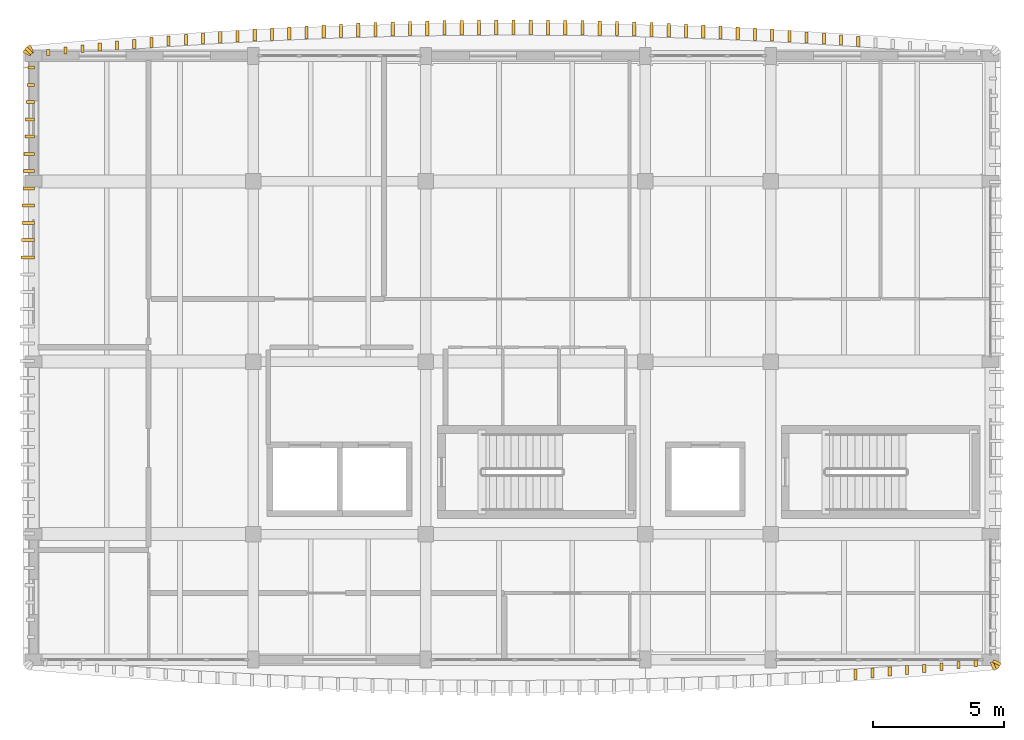
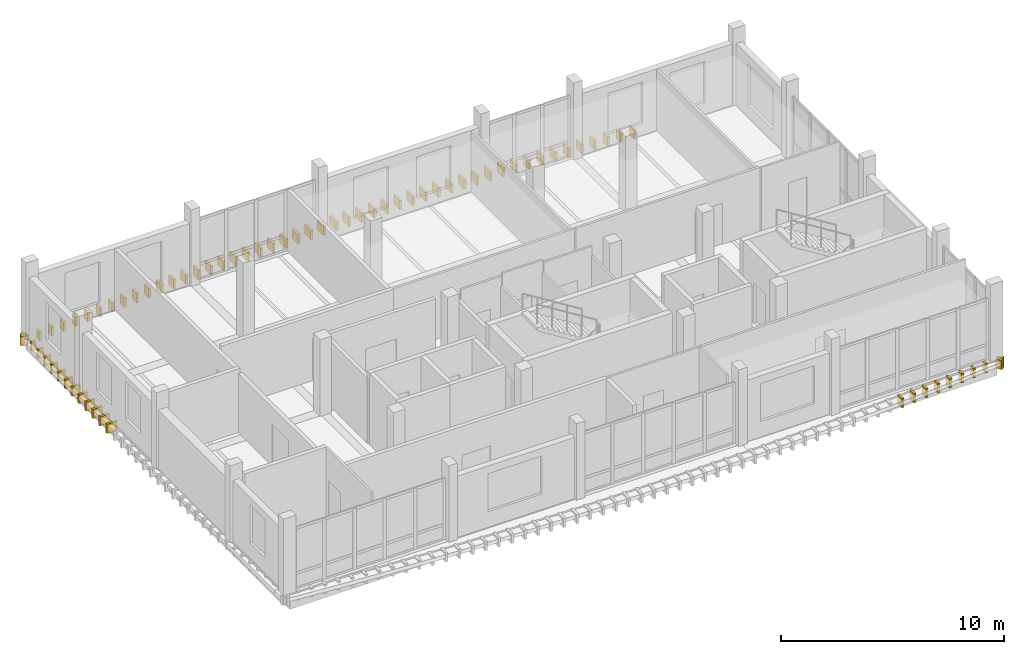
# One storey, part 15 of 16: 74 coverings.
"""IFC4 building model written with IfcOpenShell, lengths in metres."""

from ifc_helpers import new_model, si_unit, direction, frame, origin, origin_2d, place, context, subcontext, project, spatial, rectangle, extrude, material, layer, layer_set, type_object, element, save


model = new_model("IFC4")

# Units and contexts
model_context = context("Model", 3, precision=1e-05, world=origin(), true_north=direction((0.0, 1.0)))
body_context = subcontext(model_context, "Body", "Model", "MODEL_VIEW")
ifc_project = project(units=[si_unit("LENGTHUNIT", "METRE"), si_unit("AREAUNIT", "SQUARE_METRE"), si_unit("VOLUMEUNIT", "CUBIC_METRE"), si_unit("PLANEANGLEUNIT", "RADIAN"), si_unit("MASSUNIT", "GRAM", prefix="KILO")], contexts=[model_context])

# Site, building, storey
site_placement = place(None, origin())
site = spatial("IfcSite", under=ifc_project, at=site_placement, CompositionType="ELEMENT")
building_placement = place(site_placement, origin())
building = spatial("IfcBuilding", under=site, at=building_placement, Name="Dornvale Research Institute", CompositionType="ELEMENT")
storey_placement = place(building_placement, frame((0.0, 0.0, 42.60009765625)))
storey = spatial("IfcBuildingStorey", under=building, at=storey_placement, Name="L09", CompositionType="ELEMENT", Elevation=42.60009765625)

# Coverings
ifc_material = material(Name="Polychrome Glazed Terracotta Visor Rib Ceramic", Category="masonry")
ifc_layer = layer(ifc_material, 0.1201171875)
ifc_layer_set = layer_set([ifc_layer], Name="Polychrome Glazed Terracotta Visor Rib Ceramic")
covering_type = type_object("IfcCoveringType", Name="Covering_VisorBlade_Main", PredefinedType="CLADDING", material=ifc_layer_set)
covering_1_placement = place(storey_placement, frame((36.23388671875, 98.43603515625, -0.489990234375), z_axis=(0.0, 0.0, 1.0), x_axis=(0.0, 1.0, 0.0)))
element("IfcCovering", 1, at=covering_1_placement, inside=storey, type_object=covering_type, Name="L09 V5 canted glazed terracotta visor blade #1582", PredefinedType="CLADDING", context=body_context, shape_type="SweptSolid", body=[
    extrude(rectangle(XDim=0.385009765625, YDim=0.1201171875, at=origin_2d()), origin(), (0.0, 0.0, 1.0), 0.5),
])
covering_2_placement = place(storey_placement, frame((36.892333984375, 98.49072265625, -0.489990234375), z_axis=(0.0, 0.0, 1.0), x_axis=(0.0, 1.0, 0.0)))
element("IfcCovering", 2, at=covering_2_placement, inside=storey, type_object=covering_type, Name="L09 V5 canted glazed terracotta visor blade #1583", PredefinedType="CLADDING", context=body_context, shape_type="SweptSolid", body=[
    extrude(rectangle(XDim=0.366943359375, YDim=0.1201171875, at=origin_2d()), origin(), (0.0, 0.0, 1.0), 0.5),
])
covering_3_placement = place(storey_placement, frame((37.55078125, 98.547607421875, -0.489990234375), z_axis=(0.0, 0.0, 1.0), x_axis=(0.0, 1.0, 0.0)))
element("IfcCovering", 3, at=covering_3_placement, inside=storey, type_object=covering_type, Name="L09 V5 canted glazed terracotta visor blade #1584", PredefinedType="CLADDING", context=body_context, shape_type="SweptSolid", body=[
    extrude(rectangle(XDim=0.347900390625, YDim=0.1201171875, at=origin_2d()), origin(), (0.0, 0.0, 1.0), 0.5),
])
covering_4_placement = place(storey_placement, frame((38.208984375, 98.60595703125, -0.489990234375), z_axis=(0.0, 0.0, 1.0), x_axis=(0.0, 1.0, 0.0)))
element("IfcCovering", 4, at=covering_4_placement, inside=storey, type_object=covering_type, Name="L09 V5 canted glazed terracotta visor blade #1585", PredefinedType="CLADDING", context=body_context, shape_type="SweptSolid", body=[
    extrude(rectangle(XDim=0.327880859375, YDim=0.1201171875, at=origin_2d()), origin(), (0.0, 0.0, 1.0), 0.5),
])
covering_5_placement = place(storey_placement, frame((38.866943359375, 98.668701171875, -0.489990234375), z_axis=(0.0, 0.0, 1.0), x_axis=(0.0, 1.0, 0.0)))
element("IfcCovering", 5, at=covering_5_placement, inside=storey, type_object=covering_type, Name="L09 V5 canted glazed terracotta visor blade #1586", PredefinedType="CLADDING", context=body_context, shape_type="SweptSolid", body=[
    extrude(rectangle(XDim=0.30810546875, YDim=0.1201171875, at=origin_2d()), origin(), (0.0, 0.0, 1.0), 0.5),
])
covering_6_placement = place(storey_placement, frame((39.524658203125, 98.732421875, -0.489990234375), z_axis=(0.0, 0.0, 1.0), x_axis=(0.0, 1.0, 0.0)))
element("IfcCovering", 6, at=covering_6_placement, inside=storey, type_object=covering_type, Name="L09 V5 canted glazed terracotta visor blade #1587", PredefinedType="CLADDING", context=body_context, shape_type="SweptSolid", body=[
    extrude(rectangle(XDim=0.285888671875, YDim=0.1201171875, at=origin_2d()), origin(), (0.0, 0.0, 1.0), 0.5),
])
covering_7_placement = place(storey_placement, frame((40.182373046875, 98.800048828125, -0.489990234375), z_axis=(0.0, 0.0, 1.0), x_axis=(0.0, 1.0, 0.0)))
element("IfcCovering", 7, at=covering_7_placement, inside=storey, type_object=covering_type, Name="L09 V5 canted glazed terracotta visor blade #1588", PredefinedType="CLADDING", context=body_context, shape_type="SweptSolid", body=[
    extrude(rectangle(XDim=0.263916015625, YDim=0.1201171875, at=origin_2d()), origin(), (0.0, 0.0, 1.0), 0.5),
])
covering_8_placement = place(storey_placement, frame((40.839599609375, 98.869873046875, -0.489990234375), z_axis=(0.0, 0.0, 1.0), x_axis=(0.0, 1.0, 0.0)))
element("IfcCovering", 8, at=covering_8_placement, inside=storey, type_object=covering_type, Name="L09 V5 canted glazed terracotta visor blade #1589", PredefinedType="CLADDING", context=body_context, shape_type="SweptSolid", body=[
    extrude(rectangle(XDim=0.240966796875, YDim=0.1201171875, at=origin_2d()), origin(), (0.0, 0.0, 1.0), 0.5),
])
covering_9_placement = place(storey_placement, frame((36.34619140625, 122.655517578125, -0.489990234375), z_axis=(0.0, 0.0, 1.0), x_axis=(0.0, 1.0, 0.0)))
element("IfcCovering", 9, at=covering_9_placement, inside=storey, type_object=covering_type, Name="L09 V5 canted glazed terracotta visor blade #1597", PredefinedType="CLADDING", context=body_context, shape_type="SweptSolid", body=[
    extrude(rectangle(XDim=0.382080078125, YDim=0.1201171875, at=origin_2d()), origin(), (0.0, 0.0, 1.0), 0.5),
])
covering_10_placement = place(storey_placement, frame((35.6875, 122.70556640625, -0.489990234375), z_axis=(0.0, 0.0, 1.0), x_axis=(0.0, 1.0, 0.0)))
element("IfcCovering", 10, at=covering_10_placement, inside=storey, type_object=covering_type, Name="L09 V5 canted glazed terracotta visor blade #1598", PredefinedType="CLADDING", context=body_context, shape_type="SweptSolid", body=[
    extrude(rectangle(XDim=0.39892578125, YDim=0.1201171875, at=origin_2d()), origin(), (0.0, 0.0, 1.0), 0.5),
])
covering_11_placement = place(storey_placement, frame((35.02880859375, 122.755859375, -0.489990234375), z_axis=(0.0, 0.0, 1.0), x_axis=(0.0, 1.0, 0.0)))
element("IfcCovering", 11, at=covering_11_placement, inside=storey, type_object=covering_type, Name="L09 V5 canted glazed terracotta visor blade #1599", PredefinedType="CLADDING", context=body_context, shape_type="SweptSolid", body=[
    extrude(rectangle(XDim=0.416015625, YDim=0.1201171875, at=origin_2d()), origin(), (0.0, 0.0, 1.0), 0.5),
])
covering_12_placement = place(storey_placement, frame((34.3701171875, 122.802001953125, -0.489990234375), z_axis=(0.0, 0.0, 1.0), x_axis=(0.0, 1.0, 0.0)))
element("IfcCovering", 12, at=covering_12_placement, inside=storey, type_object=covering_type, Name="L09 V5 canted glazed terracotta visor blade #1600", PredefinedType="CLADDING", context=body_context, shape_type="SweptSolid", body=[
    extrude(rectangle(XDim=0.430908203125, YDim=0.1201171875, at=origin_2d()), origin(), (0.0, 0.0, 1.0), 0.5),
])
covering_13_placement = place(storey_placement, frame((33.7109375, 122.845703125, -0.489990234375), z_axis=(0.0, 0.0, 1.0), x_axis=(0.0, 1.0, 0.0)))
element("IfcCovering", 13, at=covering_13_placement, inside=storey, type_object=covering_type, Name="L09 V5 canted glazed terracotta visor blade #1601", PredefinedType="CLADDING", context=body_context, shape_type="SweptSolid", body=[
    extrude(rectangle(XDim=0.446044921875, YDim=0.1201171875, at=origin_2d()), origin(), (0.0, 0.0, 1.0), 0.5),
])
covering_14_placement = place(storey_placement, frame((33.052001953125, 122.888427734375, -0.489990234375), z_axis=(0.0, 0.0, 1.0), x_axis=(0.0, 1.0, 0.0)))
element("IfcCovering", 14, at=covering_14_placement, inside=storey, type_object=covering_type, Name="L09 V5 canted glazed terracotta visor blade #1602", PredefinedType="CLADDING", context=body_context, shape_type="SweptSolid", body=[
    extrude(rectangle(XDim=0.4599609375, YDim=0.1201171875, at=origin_2d()), origin(), (0.0, 0.0, 1.0), 0.5),
])
covering_15_placement = place(storey_placement, frame((32.392578125, 122.925537109375, -0.489990234375), z_axis=(0.0, 0.0, 1.0), x_axis=(0.0, 1.0, 0.0)))
element("IfcCovering", 15, at=covering_15_placement, inside=storey, type_object=covering_type, Name="L09 V5 canted glazed terracotta visor blade #1603", PredefinedType="CLADDING", context=body_context, shape_type="SweptSolid", body=[
    extrude(rectangle(XDim=0.472900390625, YDim=0.1201171875, at=origin_2d()), origin(), (0.0, 0.0, 1.0), 0.5),
])
covering_16_placement = place(storey_placement, frame((31.7333984375, 122.9619140625, -0.489990234375), z_axis=(0.0, 0.0, 1.0), x_axis=(0.0, 1.0, 0.0)))
element("IfcCovering", 16, at=covering_16_placement, inside=storey, type_object=covering_type, Name="L09 V5 canted glazed terracotta visor blade #1604", PredefinedType="CLADDING", context=body_context, shape_type="SweptSolid", body=[
    extrude(rectangle(XDim=0.48388671875, YDim=0.1201171875, at=origin_2d()), origin(), (0.0, 0.0, 1.0), 0.5),
])
covering_17_placement = place(storey_placement, frame((31.073974609375, 122.99560546875, -0.489990234375), z_axis=(0.0, 0.0, 1.0), x_axis=(0.0, 1.0, 0.0)))
element("IfcCovering", 17, at=covering_17_placement, inside=storey, type_object=covering_type, Name="L09 V5 canted glazed terracotta visor blade #1605", PredefinedType="CLADDING", context=body_context, shape_type="SweptSolid", body=[
    extrude(rectangle(XDim=0.49609375, YDim=0.1201171875, at=origin_2d()), origin(), (0.0, 0.0, 1.0), 0.5),
])
covering_18_placement = place(storey_placement, frame((30.41455078125, 123.025390625, -0.489990234375), z_axis=(0.0, 0.0, 1.0), x_axis=(0.0, 1.0, 0.0)))
element("IfcCovering", 18, at=covering_18_placement, inside=storey, type_object=covering_type, Name="L09 V5 canted glazed terracotta visor blade #1606", PredefinedType="CLADDING", context=body_context, shape_type="SweptSolid", body=[
    extrude(rectangle(XDim=0.506103515625, YDim=0.1201171875, at=origin_2d()), origin(), (0.0, 0.0, 1.0), 0.5),
])
covering_19_placement = place(storey_placement, frame((29.7548828125, 123.05517578125, -0.489990234375), z_axis=(0.0, 0.0, 1.0), x_axis=(0.0, 1.0, 0.0)))
element("IfcCovering", 19, at=covering_19_placement, inside=storey, type_object=covering_type, Name="L09 V5 canted glazed terracotta visor blade #1607", PredefinedType="CLADDING", context=body_context, shape_type="SweptSolid", body=[
    extrude(rectangle(XDim=0.514892578125, YDim=0.1201171875, at=origin_2d()), origin(), (0.0, 0.0, 1.0), 0.5),
])
covering_20_placement = place(storey_placement, frame((29.09521484375, 123.0791015625, -0.489990234375), z_axis=(0.0, 0.0, 1.0), x_axis=(0.0, 1.0, 0.0)))
element("IfcCovering", 20, at=covering_20_placement, inside=storey, type_object=covering_type, Name="L09 V5 canted glazed terracotta visor blade #1608", PredefinedType="CLADDING", context=body_context, shape_type="SweptSolid", body=[
    extrude(rectangle(XDim=0.52392578125, YDim=0.1201171875, at=origin_2d()), origin(), (0.0, 0.0, 1.0), 0.5),
])
covering_21_placement = place(storey_placement, frame((28.435546875, 123.10205078125, -0.489990234375), z_axis=(0.0, 0.0, 1.0), x_axis=(0.0, 1.0, 0.0)))
element("IfcCovering", 21, at=covering_21_placement, inside=storey, type_object=covering_type, Name="L09 V5 canted glazed terracotta visor blade #1609", PredefinedType="CLADDING", context=body_context, shape_type="SweptSolid", body=[
    extrude(rectangle(XDim=0.531005859375, YDim=0.1201171875, at=origin_2d()), origin(), (0.0, 0.0, 1.0), 0.5),
])
covering_22_placement = place(storey_placement, frame((27.77587890625, 123.122314453125, -0.489990234375), z_axis=(0.0, 0.0, 1.0), x_axis=(0.0, 1.0, 0.0)))
element("IfcCovering", 22, at=covering_22_placement, inside=storey, type_object=covering_type, Name="L09 V5 canted glazed terracotta visor blade #1610", PredefinedType="CLADDING", context=body_context, shape_type="SweptSolid", body=[
    extrude(rectangle(XDim=0.5380859375, YDim=0.1201171875, at=origin_2d()), origin(), (0.0, 0.0, 1.0), 0.5),
])
covering_23_placement = place(storey_placement, frame((27.115966796875, 123.139404296875, -0.489990234375), z_axis=(0.0, 0.0, 1.0), x_axis=(0.0, 1.0, 0.0)))
element("IfcCovering", 23, at=covering_23_placement, inside=storey, type_object=covering_type, Name="L09 V5 canted glazed terracotta visor blade #1611", PredefinedType="CLADDING", context=body_context, shape_type="SweptSolid", body=[
    extrude(rectangle(XDim=0.5439453125, YDim=0.1201171875, at=origin_2d()), origin(), (0.0, 0.0, 1.0), 0.5),
])
covering_24_placement = place(storey_placement, frame((26.4560546875, 123.15576171875, -0.489990234375), z_axis=(0.0, 0.0, 1.0), x_axis=(0.0, 1.0, 0.0)))
element("IfcCovering", 24, at=covering_24_placement, inside=storey, type_object=covering_type, Name="L09 V5 canted glazed terracotta visor blade #1612", PredefinedType="CLADDING", context=body_context, shape_type="SweptSolid", body=[
    extrude(rectangle(XDim=0.549072265625, YDim=0.1201171875, at=origin_2d()), origin(), (0.0, 0.0, 1.0), 0.5),
])
covering_25_placement = place(storey_placement, frame((25.796142578125, 123.16650390625, -0.489990234375), z_axis=(0.0, 0.0, 1.0), x_axis=(0.0, 1.0, 0.0)))
element("IfcCovering", 25, at=covering_25_placement, inside=storey, type_object=covering_type, Name="L09 V5 canted glazed terracotta visor blade #1613", PredefinedType="CLADDING", context=body_context, shape_type="SweptSolid", body=[
    extrude(rectangle(XDim=0.552978515625, YDim=0.1201171875, at=origin_2d()), origin(), (0.0, 0.0, 1.0), 0.5),
])
covering_26_placement = place(storey_placement, frame((25.13623046875, 123.17626953125, -0.489990234375), z_axis=(0.0, 0.0, 1.0), x_axis=(0.0, 1.0, 0.0)))
element("IfcCovering", 26, at=covering_26_placement, inside=storey, type_object=covering_type, Name="L09 V5 canted glazed terracotta visor blade #1614", PredefinedType="CLADDING", context=body_context, shape_type="SweptSolid", body=[
    extrude(rectangle(XDim=0.555908203125, YDim=0.1201171875, at=origin_2d()), origin(), (0.0, 0.0, 1.0), 0.5),
])
covering_27_placement = place(storey_placement, frame((24.476318359375, 123.18310546875, -0.489990234375), z_axis=(0.0, 0.0, 1.0), x_axis=(0.0, 1.0, 0.0)))
element("IfcCovering", 27, at=covering_27_placement, inside=storey, type_object=covering_type, Name="L09 V5 canted glazed terracotta visor blade #1615", PredefinedType="CLADDING", context=body_context, shape_type="SweptSolid", body=[
    extrude(rectangle(XDim=0.55810546875, YDim=0.1201171875, at=origin_2d()), origin(), (0.0, 0.0, 1.0), 0.5),
])
covering_28_placement = place(storey_placement, frame((23.816162109375, 123.1865234375, -0.489990234375), z_axis=(0.0, 0.0, 1.0), x_axis=(0.0, 1.0, 0.0)))
element("IfcCovering", 28, at=covering_28_placement, inside=storey, type_object=covering_type, Name="L09 V5 canted glazed terracotta visor blade #1616", PredefinedType="CLADDING", context=body_context, shape_type="SweptSolid", body=[
    extrude(rectangle(XDim=0.55908203125, YDim=0.1201171875, at=origin_2d()), origin(), (0.0, 0.0, 1.0), 0.5),
])
for number, where, z_axis, x_axis, name in (
    (29, (23.15625, 123.189697265625, -0.489990234375), (0.0, 0.0, 1.0), (0.0, 1.0, 0.0), "L09 V5 canted glazed terracotta visor blade #1617"),
    (30, (22.49609375, 123.1875, -0.489990234375), (0.0, 0.0, 1.0), (0.0, 1.0, 0.0), "L09 V5 canted glazed terracotta visor blade #1618"),
):
    element("IfcCovering", number, at=place(storey_placement, frame(where, z_axis=z_axis, x_axis=x_axis)), inside=storey, type_object=covering_type, Name=name, PredefinedType="CLADDING", context=body_context, shape_type="SweptSolid", body=[
        extrude(rectangle(XDim=0.56005859375, YDim=0.1201171875, at=origin_2d()), origin(), (0.0, 0.0, 1.0), 0.5),
    ])
covering_29_placement = place(storey_placement, frame((21.836181640625, 123.18359375, -0.489990234375), z_axis=(0.0, 0.0, 1.0), x_axis=(0.0, 1.0, 0.0)))
element("IfcCovering", 31, at=covering_29_placement, inside=storey, type_object=covering_type, Name="L09 V5 canted glazed terracotta visor blade #1619", PredefinedType="CLADDING", context=body_context, shape_type="SweptSolid", body=[
    extrude(rectangle(XDim=0.55810546875, YDim=0.1201171875, at=origin_2d()), origin(), (0.0, 0.0, 1.0), 0.5),
])
covering_30_placement = place(storey_placement, frame((21.17626953125, 123.177734375, -0.489990234375), z_axis=(0.0, 0.0, 1.0), x_axis=(0.0, 1.0, 0.0)))
element("IfcCovering", 32, at=covering_30_placement, inside=storey, type_object=covering_type, Name="L09 V5 canted glazed terracotta visor blade #1620", PredefinedType="CLADDING", context=body_context, shape_type="SweptSolid", body=[
    extrude(rectangle(XDim=0.555908203125, YDim=0.1201171875, at=origin_2d()), origin(), (0.0, 0.0, 1.0), 0.5),
])
covering_31_placement = place(storey_placement, frame((20.516357421875, 123.167724609375, -0.489990234375), z_axis=(0.0, 0.0, 1.0), x_axis=(0.0, 1.0, 0.0)))
element("IfcCovering", 33, at=covering_31_placement, inside=storey, type_object=covering_type, Name="L09 V5 canted glazed terracotta visor blade #1621", PredefinedType="CLADDING", context=body_context, shape_type="SweptSolid", body=[
    extrude(rectangle(XDim=0.552978515625, YDim=0.1201171875, at=origin_2d()), origin(), (0.0, 0.0, 1.0), 0.5),
])
covering_32_placement = place(storey_placement, frame((19.8564453125, 123.157470703125, -0.489990234375), z_axis=(0.0, 0.0, 1.0), x_axis=(0.0, 1.0, 0.0)))
element("IfcCovering", 34, at=covering_32_placement, inside=storey, type_object=covering_type, Name="L09 V5 canted glazed terracotta visor blade #1622", PredefinedType="CLADDING", context=body_context, shape_type="SweptSolid", body=[
    extrude(rectangle(XDim=0.549072265625, YDim=0.1201171875, at=origin_2d()), origin(), (0.0, 0.0, 1.0), 0.5),
])
covering_33_placement = place(storey_placement, frame((19.196533203125, 123.14208984375, -0.489990234375), z_axis=(0.0, 0.0, 1.0), x_axis=(0.0, 1.0, 0.0)))
element("IfcCovering", 35, at=covering_33_placement, inside=storey, type_object=covering_type, Name="L09 V5 canted glazed terracotta visor blade #1623", PredefinedType="CLADDING", context=body_context, shape_type="SweptSolid", body=[
    extrude(rectangle(XDim=0.544921875, YDim=0.1201171875, at=origin_2d()), origin(), (0.0, 0.0, 1.0), 0.5),
])
covering_34_placement = place(storey_placement, frame((18.53662109375, 123.125244140625, -0.489990234375), z_axis=(0.0, 0.0, 1.0), x_axis=(0.0, 1.0, 0.0)))
element("IfcCovering", 36, at=covering_34_placement, inside=storey, type_object=covering_type, Name="L09 V5 canted glazed terracotta visor blade #1624", PredefinedType="CLADDING", context=body_context, shape_type="SweptSolid", body=[
    extrude(rectangle(XDim=0.5390625, YDim=0.1201171875, at=origin_2d()), origin(), (0.0, 0.0, 1.0), 0.5),
])
covering_35_placement = place(storey_placement, frame((17.876953125, 123.10595703125, -0.489990234375), z_axis=(0.0, 0.0, 1.0), x_axis=(0.0, 1.0, 0.0)))
element("IfcCovering", 37, at=covering_35_placement, inside=storey, type_object=covering_type, Name="L09 V5 canted glazed terracotta visor blade #1625", PredefinedType="CLADDING", context=body_context, shape_type="SweptSolid", body=[
    extrude(rectangle(XDim=0.531982421875, YDim=0.1201171875, at=origin_2d()), origin(), (0.0, 0.0, 1.0), 0.5),
])
covering_36_placement = place(storey_placement, frame((17.217041015625, 123.0830078125, -0.489990234375), z_axis=(0.0, 0.0, 1.0), x_axis=(0.0, 1.0, 0.0)))
element("IfcCovering", 38, at=covering_36_placement, inside=storey, type_object=covering_type, Name="L09 V5 canted glazed terracotta visor blade #1626", PredefinedType="CLADDING", context=body_context, shape_type="SweptSolid", body=[
    extrude(rectangle(XDim=0.52490234375, YDim=0.1201171875, at=origin_2d()), origin(), (0.0, 0.0, 1.0), 0.5),
])
covering_37_placement = place(storey_placement, frame((16.557373046875, 123.059326171875, -0.489990234375), z_axis=(0.0, 0.0, 1.0), x_axis=(0.0, 1.0, 0.0)))
element("IfcCovering", 39, at=covering_37_placement, inside=storey, type_object=covering_type, Name="L09 V5 canted glazed terracotta visor blade #1627", PredefinedType="CLADDING", context=body_context, shape_type="SweptSolid", body=[
    extrude(rectangle(XDim=0.51708984375, YDim=0.1201171875, at=origin_2d()), origin(), (0.0, 0.0, 1.0), 0.5),
])
covering_38_placement = place(storey_placement, frame((15.89794921875, 123.0302734375, -0.489990234375), z_axis=(0.0, 0.0, 1.0), x_axis=(0.0, 1.0, 0.0)))
element("IfcCovering", 40, at=covering_38_placement, inside=storey, type_object=covering_type, Name="L09 V5 canted glazed terracotta visor blade #1628", PredefinedType="CLADDING", context=body_context, shape_type="SweptSolid", body=[
    extrude(rectangle(XDim=0.507080078125, YDim=0.1201171875, at=origin_2d()), origin(), (0.0, 0.0, 1.0), 0.5),
])
covering_39_placement = place(storey_placement, frame((15.23828125, 123.000244140625, -0.489990234375), z_axis=(0.0, 0.0, 1.0), x_axis=(0.0, 1.0, 0.0)))
element("IfcCovering", 41, at=covering_39_placement, inside=storey, type_object=covering_type, Name="L09 V5 canted glazed terracotta visor blade #1629", PredefinedType="CLADDING", context=body_context, shape_type="SweptSolid", body=[
    extrude(rectangle(XDim=0.4970703125, YDim=0.1201171875, at=origin_2d()), origin(), (0.0, 0.0, 1.0), 0.5),
])
covering_40_placement = place(storey_placement, frame((14.578857421875, 122.968017578125, -0.489990234375), z_axis=(0.0, 0.0, 1.0), x_axis=(0.0, 1.0, 0.0)))
element("IfcCovering", 42, at=covering_40_placement, inside=storey, type_object=covering_type, Name="L09 V5 canted glazed terracotta visor blade #1630", PredefinedType="CLADDING", context=body_context, shape_type="SweptSolid", body=[
    extrude(rectangle(XDim=0.486083984375, YDim=0.1201171875, at=origin_2d()), origin(), (0.0, 0.0, 1.0), 0.5),
])
covering_41_placement = place(storey_placement, frame((13.919677734375, 122.931884765625, -0.489990234375), z_axis=(0.0, 0.0, 1.0), x_axis=(0.0, 1.0, 0.0)))
element("IfcCovering", 43, at=covering_41_placement, inside=storey, type_object=covering_type, Name="L09 V5 canted glazed terracotta visor blade #1631", PredefinedType="CLADDING", context=body_context, shape_type="SweptSolid", body=[
    extrude(rectangle(XDim=0.47509765625, YDim=0.1201171875, at=origin_2d()), origin(), (0.0, 0.0, 1.0), 0.5),
])
covering_42_placement = place(storey_placement, frame((13.26025390625, 122.894775390625, -0.489990234375), z_axis=(0.0, 0.0, 1.0), x_axis=(0.0, 1.0, 0.0)))
element("IfcCovering", 44, at=covering_42_placement, inside=storey, type_object=covering_type, Name="L09 V5 canted glazed terracotta visor blade #1632", PredefinedType="CLADDING", context=body_context, shape_type="SweptSolid", body=[
    extrude(rectangle(XDim=0.4619140625, YDim=0.1201171875, at=origin_2d()), origin(), (0.0, 0.0, 1.0), 0.5),
])
covering_43_placement = place(storey_placement, frame((12.601318359375, 122.852783203125, -0.489990234375), z_axis=(0.0, 0.0, 1.0), x_axis=(0.0, 1.0, 0.0)))
element("IfcCovering", 45, at=covering_43_placement, inside=storey, type_object=covering_type, Name="L09 V5 canted glazed terracotta visor blade #1633", PredefinedType="CLADDING", context=body_context, shape_type="SweptSolid", body=[
    extrude(rectangle(XDim=0.447998046875, YDim=0.1201171875, at=origin_2d()), origin(), (0.0, 0.0, 1.0), 0.5),
])
covering_44_placement = place(storey_placement, frame((11.942138671875, 122.8095703125, -0.489990234375), z_axis=(0.0, 0.0, 1.0), x_axis=(0.0, 1.0, 0.0)))
element("IfcCovering", 46, at=covering_44_placement, inside=storey, type_object=covering_type, Name="L09 V5 canted glazed terracotta visor blade #1634", PredefinedType="CLADDING", context=body_context, shape_type="SweptSolid", body=[
    extrude(rectangle(XDim=0.43408203125, YDim=0.1201171875, at=origin_2d()), origin(), (0.0, 0.0, 1.0), 0.5),
])
covering_45_placement = place(storey_placement, frame((11.283203125, 122.763916015625, -0.489990234375), z_axis=(0.0, 0.0, 1.0), x_axis=(0.0, 1.0, 0.0)))
element("IfcCovering", 47, at=covering_45_placement, inside=storey, type_object=covering_type, Name="L09 V5 canted glazed terracotta visor blade #1635", PredefinedType="CLADDING", context=body_context, shape_type="SweptSolid", body=[
    extrude(rectangle(XDim=0.41796875, YDim=0.1201171875, at=origin_2d()), origin(), (0.0, 0.0, 1.0), 0.5),
])
covering_46_placement = place(storey_placement, frame((10.62451171875, 122.714111328125, -0.489990234375), z_axis=(0.0, 0.0, 1.0), x_axis=(0.0, 1.0, 0.0)))
element("IfcCovering", 48, at=covering_46_placement, inside=storey, type_object=covering_type, Name="L09 V5 canted glazed terracotta visor blade #1636", PredefinedType="CLADDING", context=body_context, shape_type="SweptSolid", body=[
    extrude(rectangle(XDim=0.402099609375, YDim=0.1201171875, at=origin_2d()), origin(), (0.0, 0.0, 1.0), 0.5),
])
covering_47_placement = place(storey_placement, frame((9.966064453125, 122.6640625, -0.489990234375), z_axis=(0.0, 0.0, 1.0), x_axis=(0.0, 1.0, 0.0)))
element("IfcCovering", 49, at=covering_47_placement, inside=storey, type_object=covering_type, Name="L09 V5 canted glazed terracotta visor blade #1637", PredefinedType="CLADDING", context=body_context, shape_type="SweptSolid", body=[
    extrude(rectangle(XDim=0.385009765625, YDim=0.1201171875, at=origin_2d()), origin(), (0.0, 0.0, 1.0), 0.5),
])
covering_48_placement = place(storey_placement, frame((9.3076171875, 122.609130859375, -0.489990234375), z_axis=(0.0, 0.0, 1.0), x_axis=(0.0, 1.0, 0.0)))
element("IfcCovering", 50, at=covering_48_placement, inside=storey, type_object=covering_type, Name="L09 V5 canted glazed terracotta visor blade #1638", PredefinedType="CLADDING", context=body_context, shape_type="SweptSolid", body=[
    extrude(rectangle(XDim=0.366943359375, YDim=0.1201171875, at=origin_2d()), origin(), (0.0, 0.0, 1.0), 0.5),
])
covering_49_placement = place(storey_placement, frame((8.649169921875, 122.552490234375, -0.489990234375), z_axis=(0.0, 0.0, 1.0), x_axis=(0.0, 1.0, 0.0)))
element("IfcCovering", 51, at=covering_49_placement, inside=storey, type_object=covering_type, Name="L09 V5 canted glazed terracotta visor blade #1639", PredefinedType="CLADDING", context=body_context, shape_type="SweptSolid", body=[
    extrude(rectangle(XDim=0.347900390625, YDim=0.1201171875, at=origin_2d()), origin(), (0.0, 0.0, 1.0), 0.5),
])
covering_50_placement = place(storey_placement, frame((7.990966796875, 122.494140625, -0.489990234375), z_axis=(0.0, 0.0, 1.0), x_axis=(0.0, 1.0, 0.0)))
element("IfcCovering", 52, at=covering_50_placement, inside=storey, type_object=covering_type, Name="L09 V5 canted glazed terracotta visor blade #1640", PredefinedType="CLADDING", context=body_context, shape_type="SweptSolid", body=[
    extrude(rectangle(XDim=0.327880859375, YDim=0.1201171875, at=origin_2d()), origin(), (0.0, 0.0, 1.0), 0.5),
])
covering_51_placement = place(storey_placement, frame((7.3330078125, 122.431396484375, -0.489990234375), z_axis=(0.0, 0.0, 1.0), x_axis=(0.0, 1.0, 0.0)))
element("IfcCovering", 53, at=covering_51_placement, inside=storey, type_object=covering_type, Name="L09 V5 canted glazed terracotta visor blade #1641", PredefinedType="CLADDING", context=body_context, shape_type="SweptSolid", body=[
    extrude(rectangle(XDim=0.30810546875, YDim=0.1201171875, at=origin_2d()), origin(), (0.0, 0.0, 1.0), 0.5),
])
covering_52_placement = place(storey_placement, frame((6.67529296875, 122.367431640625, -0.489990234375), z_axis=(0.0, 0.0, 1.0), x_axis=(0.0, 1.0, 0.0)))
element("IfcCovering", 54, at=covering_52_placement, inside=storey, type_object=covering_type, Name="L09 V5 canted glazed terracotta visor blade #1642", PredefinedType="CLADDING", context=body_context, shape_type="SweptSolid", body=[
    extrude(rectangle(XDim=0.285888671875, YDim=0.1201171875, at=origin_2d()), origin(), (0.0, 0.0, 1.0), 0.5),
])
covering_53_placement = place(storey_placement, frame((6.017578125, 122.300048828125, -0.489990234375), z_axis=(0.0, 0.0, 1.0), x_axis=(0.0, 1.0, 0.0)))
element("IfcCovering", 55, at=covering_53_placement, inside=storey, type_object=covering_type, Name="L09 V5 canted glazed terracotta visor blade #1643", PredefinedType="CLADDING", context=body_context, shape_type="SweptSolid", body=[
    extrude(rectangle(XDim=0.263916015625, YDim=0.1201171875, at=origin_2d()), origin(), (0.0, 0.0, 1.0), 0.5),
])
covering_54_placement = place(storey_placement, frame((5.3603515625, 122.230224609375, -0.489990234375), z_axis=(0.0, 0.0, 1.0), x_axis=(0.0, 1.0, 0.0)))
element("IfcCovering", 56, at=covering_54_placement, inside=storey, type_object=covering_type, Name="L09 V5 canted glazed terracotta visor blade #1644", PredefinedType="CLADDING", context=body_context, shape_type="SweptSolid", body=[
    extrude(rectangle(XDim=0.240966796875, YDim=0.1201171875, at=origin_2d()), origin(), (0.0, 0.0, 1.0), 0.5),
])
covering_55_placement = place(storey_placement, frame((4.717041015625, 121.64990234375, -0.489990234375), z_axis=(0.0, 0.0, 1.0), x_axis=(1.0, 0.0, 0.0)))
element("IfcCovering", 57, at=covering_55_placement, inside=storey, type_object=covering_type, Name="L09 V5 canted glazed terracotta visor blade #1679", PredefinedType="CLADDING", context=body_context, shape_type="SweptSolid", body=[
    extrude(rectangle(XDim=0.24609375, YDim=0.1201171875, at=origin_2d()), origin(), (0.0, 0.0, 1.0), 0.5),
])
covering_56_placement = place(storey_placement, frame((4.698974609375, 120.989990234375, -0.489990234375), z_axis=(0.0, 0.0, 1.0), x_axis=(1.0, 0.0, 0.0)))
element("IfcCovering", 58, at=covering_56_placement, inside=storey, type_object=covering_type, Name="L09 V5 canted glazed terracotta visor blade #1680", PredefinedType="CLADDING", context=body_context, shape_type="SweptSolid", body=[
    extrude(rectangle(XDim=0.281982421875, YDim=0.1201171875, at=origin_2d()), origin(), (0.0, 0.0, 1.0), 0.5),
])
covering_57_placement = place(storey_placement, frame((4.681884765625, 120.330078125, -0.489990234375), z_axis=(0.0, 0.0, 1.0), x_axis=(1.0, 0.0, 0.0)))
element("IfcCovering", 59, at=covering_57_placement, inside=storey, type_object=covering_type, Name="L09 V5 canted glazed terracotta visor blade #1681", PredefinedType="CLADDING", context=body_context, shape_type="SweptSolid", body=[
    extrude(rectangle(XDim=0.31591796875, YDim=0.1201171875, at=origin_2d()), origin(), (0.0, 0.0, 1.0), 0.5),
])
covering_58_placement = place(storey_placement, frame((4.666015625, 119.669921875, -0.489990234375), z_axis=(0.0, 0.0, 1.0), x_axis=(1.0, 0.0, 0.0)))
element("IfcCovering", 60, at=covering_58_placement, inside=storey, type_object=covering_type, Name="L09 V5 canted glazed terracotta visor blade #1682", PredefinedType="CLADDING", context=body_context, shape_type="SweptSolid", body=[
    extrude(rectangle(XDim=0.347900390625, YDim=0.1201171875, at=origin_2d()), origin(), (0.0, 0.0, 1.0), 0.5),
])
covering_59_placement = place(storey_placement, frame((4.65087890625, 119.010009765625, -0.489990234375), z_axis=(0.0, 0.0, 1.0), x_axis=(1.0, 0.0, 0.0)))
element("IfcCovering", 61, at=covering_59_placement, inside=storey, type_object=covering_type, Name="L09 V5 canted glazed terracotta visor blade #1683", PredefinedType="CLADDING", context=body_context, shape_type="SweptSolid", body=[
    extrude(rectangle(XDim=0.3779296875, YDim=0.1201171875, at=origin_2d()), origin(), (0.0, 0.0, 1.0), 0.5),
])
covering_60_placement = place(storey_placement, frame((4.637451171875, 118.35009765625, -0.489990234375), z_axis=(0.0, 0.0, 1.0), x_axis=(1.0, 0.0, 0.0)))
element("IfcCovering", 62, at=covering_60_placement, inside=storey, type_object=covering_type, Name="L09 V5 canted glazed terracotta visor blade #1684", PredefinedType="CLADDING", context=body_context, shape_type="SweptSolid", body=[
    extrude(rectangle(XDim=0.405029296875, YDim=0.1201171875, at=origin_2d()), origin(), (0.0, 0.0, 1.0), 0.5),
])
covering_61_placement = place(storey_placement, frame((4.625, 117.68994140625, -0.489990234375), z_axis=(0.0, 0.0, 1.0), x_axis=(1.0, 0.0, 0.0)))
element("IfcCovering", 63, at=covering_61_placement, inside=storey, type_object=covering_type, Name="L09 V5 canted glazed terracotta visor blade #1685", PredefinedType="CLADDING", context=body_context, shape_type="SweptSolid", body=[
    extrude(rectangle(XDim=0.429931640625, YDim=0.1201171875, at=origin_2d()), origin(), (0.0, 0.0, 1.0), 0.5),
])
covering_62_placement = place(storey_placement, frame((4.613525390625, 117.030029296875, -0.489990234375), z_axis=(0.0, 0.0, 1.0), x_axis=(1.0, 0.0, 0.0)))
element("IfcCovering", 64, at=covering_62_placement, inside=storey, type_object=covering_type, Name="L09 V5 canted glazed terracotta visor blade #1686", PredefinedType="CLADDING", context=body_context, shape_type="SweptSolid", body=[
    extrude(rectangle(XDim=0.452880859375, YDim=0.1201171875, at=origin_2d()), origin(), (0.0, 0.0, 1.0), 0.5),
])
covering_63_placement = place(storey_placement, frame((4.60302734375, 116.3701171875, -0.489990234375), z_axis=(0.0, 0.0, 1.0), x_axis=(1.0, 0.0, 0.0)))
element("IfcCovering", 65, at=covering_63_placement, inside=storey, type_object=covering_type, Name="L09 V5 canted glazed terracotta visor blade #1687", PredefinedType="CLADDING", context=body_context, shape_type="SweptSolid", body=[
    extrude(rectangle(XDim=0.47412109375, YDim=0.1201171875, at=origin_2d()), origin(), (0.0, 0.0, 1.0), 0.5),
])
covering_64_placement = place(storey_placement, frame((4.593994140625, 115.7099609375, -0.489990234375), z_axis=(0.0, 0.0, 1.0), x_axis=(1.0, 0.0, 0.0)))
element("IfcCovering", 66, at=covering_64_placement, inside=storey, type_object=covering_type, Name="L09 V5 canted glazed terracotta visor blade #1688", PredefinedType="CLADDING", context=body_context, shape_type="SweptSolid", body=[
    extrude(rectangle(XDim=0.491943359375, YDim=0.1201171875, at=origin_2d()), origin(), (0.0, 0.0, 1.0), 0.5),
])
covering_65_placement = place(storey_placement, frame((4.5859375, 115.050048828125, -0.489990234375), z_axis=(0.0, 0.0, 1.0), x_axis=(1.0, 0.0, 0.0)))
element("IfcCovering", 67, at=covering_65_placement, inside=storey, type_object=covering_type, Name="L09 V5 canted glazed terracotta visor blade #1689", PredefinedType="CLADDING", context=body_context, shape_type="SweptSolid", body=[
    extrude(rectangle(XDim=0.508056640625, YDim=0.1201171875, at=origin_2d()), origin(), (0.0, 0.0, 1.0), 0.5),
])
covering_66_placement = place(storey_placement, frame((4.5791015625, 114.389892578125, -0.489990234375), z_axis=(0.0, 0.0, 1.0), x_axis=(1.0, 0.0, 0.0)))
element("IfcCovering", 68, at=covering_66_placement, inside=storey, type_object=covering_type, Name="L09 V5 canted glazed terracotta visor blade #1690", PredefinedType="CLADDING", context=body_context, shape_type="SweptSolid", body=[
    extrude(rectangle(XDim=0.52197265625, YDim=0.1201171875, at=origin_2d()), origin(), (0.0, 0.0, 1.0), 0.5),
])
for number, where, z_axis, x_axis, name in (
    (69, (41.51416015625, 98.75537109375, -0.489990234375), (0.0, 0.0, 1.0), (0.422618261741, -0.906307787037, 0.0), "L09 V5 corner-wrapping visor blade #1716"),
    (70, (41.5908203125, 98.80908203125, -0.489990234375), (0.0, 0.0, 1.0), (0.707106781187, -0.707106781187, 0.0), "L09 V5 corner-wrapping visor blade #1717"),
    (71, (41.644775390625, 98.885986328125, -0.489990234375), (0.0, 0.0, 1.0), (0.906307787037, -0.422618261741, 0.0), "L09 V5 corner-wrapping visor blade #1718"),
    (72, (4.685791015625, 122.3447265625, -0.489990234375), (0.0, 0.0, 1.0), (-0.422618261741, 0.906307787037, 0.0), "L09 V5 corner-wrapping visor blade #1722"),
    (73, (4.609130859375, 122.291015625, -0.489990234375), (0.0, 0.0, 1.0), (-0.707106781187, 0.707106781187, 0.0), "L09 V5 corner-wrapping visor blade #1723"),
    (74, (4.555419921875, 122.214111328125, -0.489990234375), (0.0, 0.0, 1.0), (-0.906307787037, 0.422618261741, 0.0), "L09 V5 corner-wrapping visor blade #1724"),
):
    element("IfcCovering", number, at=place(storey_placement, frame(where, z_axis=z_axis, x_axis=x_axis)), inside=storey, type_object=covering_type, Name=name, PredefinedType="CLADDING", context=body_context, shape_type="SweptSolid", body=[
        extrude(rectangle(XDim=0.320068359375, YDim=0.1201171875, at=origin_2d()), origin(), (0.0, 0.0, 1.0), 0.5),
    ])

save(model, "model.ifc")
